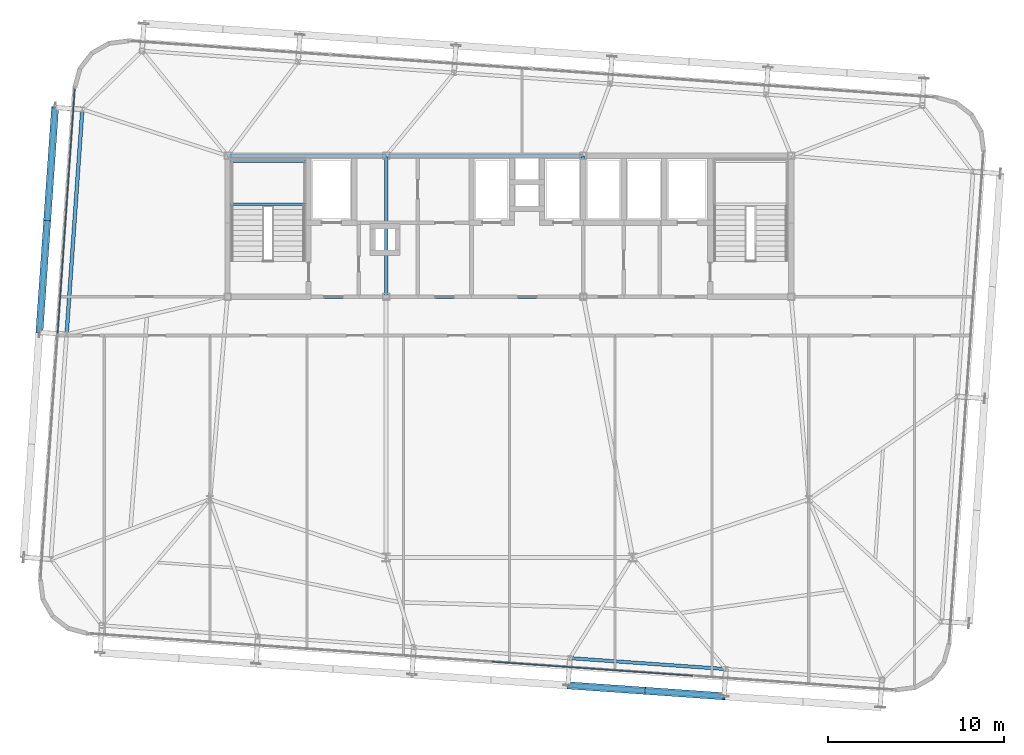
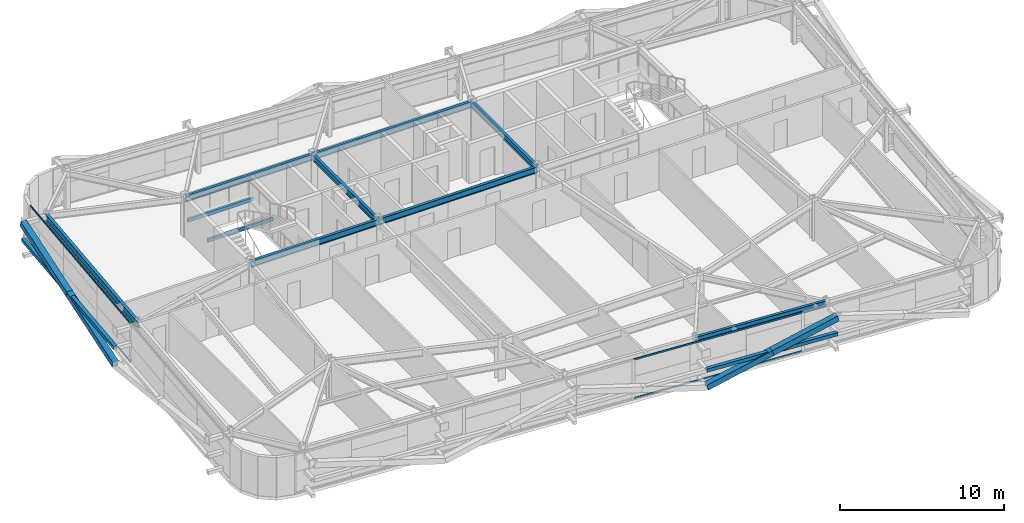
# One storey, part 12 of 39: 10 beams, 10 members, 2 elements without a shape of their own.
"""IFC4 building model written with IfcOpenShell, lengths in metres."""

from ifc_helpers import new_model, si_unit, direction, frame, origin, origin_2d, place, context, subcontext, project, spatial, hollow_rectangle, i_section, extrude, source, transform, mapped, material, layer, layer_set, material_profile, profile_set, type_object, element, aggregate, save


model = new_model("IFC4")

# Units and contexts
model_context = context("Model", 3, precision=1e-05, world=origin(), true_north=direction((0.0, 1.0)))
body_context = subcontext(model_context, "Body", "Model", "MODEL_VIEW")
ifc_project = project(units=[si_unit("LENGTHUNIT", "METRE"), si_unit("AREAUNIT", "SQUARE_METRE"), si_unit("VOLUMEUNIT", "CUBIC_METRE"), si_unit("PLANEANGLEUNIT", "RADIAN"), si_unit("MASSUNIT", "GRAM", prefix="KILO")], contexts=[model_context])

# Site, building, storey
site_placement = place(None, origin())
site = spatial("IfcSite", under=ifc_project, at=site_placement, CompositionType="ELEMENT")
building_placement = place(site_placement, origin())
building = spatial("IfcBuilding", under=site, at=building_placement, Name="Taldren Reach Tower", CompositionType="ELEMENT")
storey_placement = place(building_placement, frame((0.0, 0.0, 123.550048828125)))
storey = spatial("IfcBuildingStorey", under=building, at=storey_placement, Name="L37", CompositionType="ELEMENT", Elevation=123.550048828125)

# Beams
ifc_material_1 = material(Name="Steel Gr 350 (350PLUS)", Category="steel")
ifc_material_profile_1 = material_profile(ifc_material_1, i_section(OverallWidth=0.19091796875, OverallDepth=0.4599609375, WebThickness=0.010009765625, FlangeThickness=0.01611328125, at=origin_2d()), Name="460UB82.1")
ifc_profile_set_1 = profile_set([ifc_material_profile_1], Name="Steel Gr 350 (350PLUS)")
beam_type_1 = type_object("IfcBeamType", Name="BM-UB460A", PredefinedType="BEAM", material=ifc_profile_set_1)
shared_shape_1 = source(origin(), body_context, "Body", "SweptSolid", [
    extrude(i_section(OverallWidth=0.19091796875, OverallDepth=0.4599609375, WebThickness=0.010009765625, FlangeThickness=0.01611328125, at=origin_2d()), origin(), (0.0, 0.0, 1.0), 9.0),
])
for number, where, z_axis, x_axis, name in (
    (1, (19.0, 24.0, 2.699951171875), (1.0, 0.0, 0.0), (0.0, 1.0, 0.0), "Core-spine girder L37-SP01"),
    (2, (19.0, 32.0, 2.699951171875), (1.0, 0.0, 0.0), (0.0, 1.0, 0.0), "Core-spine girder L37-SP04"),
):
    element("IfcBeam", number, at=place(storey_placement, frame(where, z_axis=z_axis, x_axis=x_axis)), inside=storey, type_object=beam_type_1, Name=name, PredefinedType="BEAM", context=body_context, shape_type="MappedRepresentation", body=[
        mapped(shared_shape_1, transform((0.0, 0.0, 0.0), scale=1.0)),
    ])
shared_shape_2 = source(origin(), body_context, "Body", "SweptSolid", [
    extrude(i_section(OverallWidth=0.19091796875, OverallDepth=0.4599609375, WebThickness=0.010009765625, FlangeThickness=0.01611328125, at=origin_2d()), origin(), (0.0, 0.0, 1.0), 11.199951171875),
])
for number, where, z_axis, x_axis, name in (
    (3, (28.0, 24.0, 2.699951171875), (1.0, 0.0, 0.0), (0.0, 1.0, 0.0), "Core-spine girder L37-SP02"),
    (4, (28.0, 32.0, 2.699951171875), (1.0, 0.0, 0.0), (0.0, 1.0, 0.0), "Core-spine girder L37-SP05"),
):
    element("IfcBeam", number, at=place(storey_placement, frame(where, z_axis=z_axis, x_axis=x_axis)), inside=storey, type_object=beam_type_1, Name=name, PredefinedType="BEAM", context=body_context, shape_type="MappedRepresentation", body=[
        mapped(shared_shape_2, transform((0.0, 0.0, 0.0), scale=1.0)),
    ])
shared_shape_3 = source(origin(), body_context, "Body", "SweptSolid", [
    extrude(i_section(OverallWidth=0.19091796875, OverallDepth=0.4599609375, WebThickness=0.010009765625, FlangeThickness=0.01611328125, at=origin_2d()), origin(), (0.0, 0.0, 1.0), 8.0),
])
for number, where, z_axis, x_axis, name in (
    (5, (28.0, 24.0, 2.699951171875), (0.0, 1.0, 0.0), (-1.0, 0.0, 0.0), "Core-spine girder L37-SP07"),
    (6, (39.199951171875, 24.0, 2.699951171875), (0.0, 1.0, 0.0), (-1.0, 0.0, 0.0), "Core-spine girder L37-SP08"),
):
    element("IfcBeam", number, at=place(storey_placement, frame(where, z_axis=z_axis, x_axis=x_axis)), inside=storey, type_object=beam_type_1, Name=name, PredefinedType="BEAM", context=body_context, shape_type="MappedRepresentation", body=[
        mapped(shared_shape_3, transform((0.0, 0.0, 0.0), scale=1.0)),
    ])
ifc_material_profile_2 = material_profile(ifc_material_1, i_section(OverallWidth=0.18994140625, OverallDepth=0.4541015625, WebThickness=0.008544921875, FlangeThickness=0.0126953125, at=origin_2d()), Name="460UB67.1")
ifc_profile_set_2 = profile_set([ifc_material_profile_2], Name="Steel Gr 350 (350PLUS)")
beam_type_2 = type_object("IfcBeamType", Name="SP-UB460B", PredefinedType="SPANDREL", material=ifc_profile_set_2)
shared_shape_4 = source(origin(), body_context, "Body", "SweptSolid", [
    extrude(i_section(OverallWidth=0.18994140625, OverallDepth=0.4541015625, WebThickness=0.008544921875, FlangeThickness=0.0126953125, at=origin_2d()), origin(), (0.0, 0.0, 1.0), 8.880126953125),
])
beam_1_placement = place(storey_placement, frame((38.438720703125, 3.480224609375, 2.702880859375), z_axis=(0.997562566276, -0.06977769246, 0.0), x_axis=(0.06977769246, 0.997562566276, 0.0)))
element("IfcBeam", 7, at=beam_1_placement, inside=storey, type_object=beam_type_2, Name="Perimeter spandrel B3 S4-S5 L37", PredefinedType="SPANDREL", context=body_context, shape_type="MappedRepresentation", body=[
    mapped(shared_shape_4, transform((0.0, 0.0, 0.0), scale=1.0)),
])
ifc_material_profile_3 = material_profile(ifc_material_1, i_section(OverallWidth=0.208984375, OverallDepth=0.528076171875, WebThickness=0.009521484375, FlangeThickness=0.01318359375, at=origin_2d()), Name="530UB82.0")
ifc_profile_set_3 = profile_set([ifc_material_profile_3], Name="Steel Gr 350 (350PLUS)")
beam_type_3 = type_object("IfcBeamType", Name="SP-UB530B", PredefinedType="SPANDREL", material=ifc_profile_set_3)
shared_shape_5 = source(origin(), body_context, "Body", "SweptSolid", [
    extrude(i_section(OverallWidth=0.208984375, OverallDepth=0.528076171875, WebThickness=0.009521484375, FlangeThickness=0.01318359375, at=origin_2d()), origin(), (0.0, 0.0, 1.0), 12.800048828125),
])
beam_2_placement = place(storey_placement, frame((10.754638671875, 34.63720703125, 2.666015625), z_axis=(-0.069751876777, -0.9975643717, 0.0), x_axis=(0.9975643717, -0.069751876777, 0.0)))
element("IfcBeam", 8, at=beam_2_placement, inside=storey, type_object=beam_type_3, Name="Perimeter spandrel B3 W3-W2 L37", PredefinedType="SPANDREL", context=body_context, shape_type="MappedRepresentation", body=[
    mapped(shared_shape_5, transform((0.0, 0.0, 0.0), scale=1.0)),
])

# Members
ifc_material_2 = material(Name="Steel Gr 350 (C350L0)", Category="steel")
ifc_material_profile_4 = material_profile(ifc_material_2, hollow_rectangle(XDim=0.25, YDim=0.25, WallThickness=0.010009765625, at=origin_2d()), Name="250x250x10.0SHS")
ifc_profile_set_4 = profile_set([ifc_material_profile_4], Name="Steel Gr 350 (C350L0)")
member_type_1 = type_object("IfcMemberType", Name="MB-POST250", PredefinedType="POST", material=ifc_profile_set_4)
shared_shape_6 = source(origin(), body_context, "Body", "SweptSolid", [
    extrude(hollow_rectangle(XDim=0.25, YDim=0.25, WallThickness=0.010009765625, at=origin_2d()), origin(), (0.0, 0.0, 1.0), 8.880126953125),
])
member_1_placement = place(storey_placement, frame((38.33056640625, 1.933837890625, 1.43505859375), z_axis=(0.997564479639, -0.069750333063, 0.0), x_axis=(0.069750333063, 0.997564479639, 0.0)))
element("IfcMember", 9, at=member_1_placement, inside=storey, type_object=member_type_1, Name="Exoskeleton mid-height ring chord B3-S4 L37", PredefinedType="POST", context=body_context, shape_type="MappedRepresentation", body=[
    mapped(shared_shape_6, transform((0.0, 0.0, 0.0), scale=1.0)),
])
shared_shape_7 = source(origin(), body_context, "Body", "SweptSolid", [
    extrude(hollow_rectangle(XDim=0.25, YDim=0.25, WallThickness=0.010009765625, at=origin_2d()), origin(), (0.0, 0.0, 1.0), 12.800048828125),
])
member_2_placement = place(storey_placement, frame((8.3154296875, 21.9765625, 1.43505859375), z_axis=(0.069770857464, 0.997563044348, 0.0), x_axis=(-0.997563044348, 0.069770857464, 0.0)))
element("IfcMember", 10, at=member_2_placement, inside=storey, type_object=member_type_1, Name="Exoskeleton mid-height ring chord B3-W2 L37", PredefinedType="POST", context=body_context, shape_type="MappedRepresentation", body=[
    mapped(shared_shape_7, transform((0.0, 0.0, 0.0), scale=1.0)),
])
ifc_material_3 = material(Name="Steel Gr 450 (C450L0)", Category="steel")
ifc_material_profile_5 = material_profile(ifc_material_3, hollow_rectangle(XDim=0.409912109375, YDim=0.409912109375, WallThickness=0.01611328125, at=origin_2d()), Name="410x410x16.0SHS")
ifc_profile_set_5 = profile_set([ifc_material_profile_5], Name="Steel Gr 450 (C450L0)")
member_type_2 = type_object("IfcMemberType", Name="MB-EXO406", PredefinedType="BRACE", material=ifc_profile_set_5)
shared_shape_8 = source(origin(), body_context, "Body", "SweptSolid", [
    extrude(hollow_rectangle(XDim=0.409912109375, YDim=0.409912109375, WallThickness=0.01611328125, at=origin_2d()), origin(), (0.0, 0.0, 1.0), 4.603271484375),
])
for number, where, z_axis, x_axis, name in (
    (11, (38.33056640625, 1.933837890625, 0.219970703125), (0.962185784239, -0.067250114343, 0.263962002434), (0.069722973508, 0.997566392259, 0.0), "Exoskeleton Diagrid Brace B3-S4 L37"),
    (12, (42.759765625, 1.624267578125, 1.43505859375), (0.962195820062, -0.067303852699, 0.263911718699), (0.06977769246, 0.997562566276, 0.0), "Exoskeleton Diagrid Brace B3-S4 L37"),
):
    element("IfcMember", number, at=place(storey_placement, frame(where, z_axis=z_axis, x_axis=x_axis)), inside=storey, type_object=member_type_2, Name=name, PredefinedType="BRACE", context=body_context, shape_type="MappedRepresentation", body=[
        mapped(shared_shape_8, transform((0.0, 0.0, 0.0), scale=1.0)),
    ])
shared_shape_9 = source(origin(), body_context, "Body", "SweptSolid", [
    extrude(hollow_rectangle(XDim=0.409912109375, YDim=0.409912109375, WallThickness=0.01611328125, at=origin_2d()), origin(), (0.0, 0.0, 1.0), 6.514404296875),
])
member_3_placement = place(storey_placement, frame((8.761962890625, 28.36083984375, 1.43505859375), z_axis=(0.068545605936, 0.980063499638, 0.186486022492), x_axis=(-0.997563137195, 0.069769529958, 0.0)))
element("IfcMember", 13, at=member_3_placement, inside=storey, type_object=member_type_2, Name="Exoskeleton Diagrid Brace B3-W2 L37", PredefinedType="BRACE", context=body_context, shape_type="MappedRepresentation", body=[
    mapped(shared_shape_9, transform((0.0, 0.0, 0.0), scale=1.0)),
])
shared_shape_10 = source(origin(), body_context, "Body", "SweptSolid", [
    extrude(hollow_rectangle(XDim=0.409912109375, YDim=0.409912109375, WallThickness=0.01611328125, at=origin_2d()), origin(), (0.0, 0.0, 1.0), 6.51416015625),
])
member_4_placement = place(storey_placement, frame((8.3154296875, 21.9765625, 0.219970703125), z_axis=(0.068547644544, 0.980055169399, 0.186529046964), x_axis=(-0.997562951496, 0.069772185021, 0.0)))
element("IfcMember", 14, at=member_4_placement, inside=storey, type_object=member_type_2, Name="Exoskeleton Diagrid Brace B3-W2 L37", PredefinedType="BRACE", context=body_context, shape_type="MappedRepresentation", body=[
    mapped(shared_shape_10, transform((0.0, 0.0, 0.0), scale=1.0)),
])

# Curtain wall, members
ifc_material_4 = material(Name="Aluminium and Low-E Glass Unitised System", Category="aluminium")
ifc_layer = layer(ifc_material_4, 0.159912109375)
ifc_layer_set = layer_set([ifc_layer], Name="Aluminium and Low-E Glass Unitised System")
curtain_wall_type = type_object("IfcCurtainWallType", Name="CW-SYS-4", PredefinedType="NOTDEFINED", material=ifc_layer_set)
curtain_wall_1_placement = place(storey_placement, origin())
curtain_wall_1 = element("IfcCurtainWall", 15, at=curtain_wall_1_placement, inside=storey, type_object=curtain_wall_type, Name="Unitised curtain wall CW-L37-S", PredefinedType="NOTDEFINED")
ifc_material_5 = material(Name="Anodised Aluminium 6063-T6", Category="aluminium")
ifc_material_profile_6 = material_profile(ifc_material_5, hollow_rectangle(XDim=0.054931640625, YDim=0.1201171875, WallThickness=0.0029296875, at=origin_2d()), Name="ALU-120x55x3RHS")
ifc_profile_set_6 = profile_set([ifc_material_profile_6], Name="Anodised Aluminium 6063-T6")
member_type_3 = type_object("IfcMemberType", Name="CW-TRN-135", PredefinedType="USERDEFINED", material=ifc_profile_set_6)
shared_shape_11 = source(origin(), body_context, "Body", "SweptSolid", [
    extrude(hollow_rectangle(XDim=0.054931640625, YDim=0.1201171875, WallThickness=0.0029296875, at=origin_2d()), origin(), (0.0, 0.0, 1.0), 11.429931640625),
])
member_5_placement = place(storey_placement, frame((34.0087890625, 3.278564453125, 0.02734375), z_axis=(0.997563740938, -0.069760897114, 0.0), x_axis=(0.069760897114, 0.997563740938, 0.0)))
member_5 = element("IfcMember", 16, at=member_5_placement, type_object=member_type_3, Name="CW-4 transom 3.1", ObjectType="TRANSOM", PredefinedType="USERDEFINED", context=body_context, shape_type="MappedRepresentation", body=[
    mapped(shared_shape_11, transform((0.0, 0.0, 0.0), scale=1.0)),
])
member_6_placement = place(storey_placement, frame((34.0087890625, 3.278564453125, 2.90234375), z_axis=(0.997563740938, -0.069760897114, 0.0), x_axis=(0.069760897114, 0.997563740938, 0.0)))
member_6 = element("IfcMember", 17, at=member_6_placement, type_object=member_type_3, Name="CW-4 transom 3.2", ObjectType="TRANSOM", PredefinedType="USERDEFINED", context=body_context, shape_type="MappedRepresentation", body=[
    mapped(shared_shape_11, transform((0.0, 0.0, 0.0), scale=1.0)),
])
aggregate(curtain_wall_1, [member_5, member_6])

curtain_wall_2_placement = place(storey_placement, origin())
curtain_wall_2 = element("IfcCurtainWall", 18, at=curtain_wall_2_placement, inside=storey, type_object=curtain_wall_type, Name="Unitised curtain wall CW-L37-W", PredefinedType="NOTDEFINED")
shared_shape_12 = source(origin(), body_context, "Body", "SweptSolid", [
    extrude(hollow_rectangle(XDim=0.054931640625, YDim=0.1201171875, WallThickness=0.0029296875, at=origin_2d()), origin(), (0.0, 0.0, 1.0), 13.895263671875),
])
member_7_placement = place(storey_placement, frame((10.32470703125, 35.800048828125, 0.02734375), z_axis=(-0.069753594456, -0.997564251595, 0.0), x_axis=(0.997564251595, -0.069753594456, 0.0)))
member_7 = element("IfcMember", 19, at=member_7_placement, type_object=member_type_3, Name="CW-4 transom 1.1", ObjectType="TRANSOM", PredefinedType="USERDEFINED", context=body_context, shape_type="MappedRepresentation", body=[
    mapped(shared_shape_12, transform((0.0, 0.0, 0.0), scale=1.0)),
])
member_8_placement = place(storey_placement, frame((10.32470703125, 35.800048828125, 2.90234375), z_axis=(-0.069753594456, -0.997564251595, 0.0), x_axis=(0.997564251595, -0.069753594456, 0.0)))
member_8 = element("IfcMember", 20, at=member_8_placement, type_object=member_type_3, Name="CW-4 transom 1.2", ObjectType="TRANSOM", PredefinedType="USERDEFINED", context=body_context, shape_type="MappedRepresentation", body=[
    mapped(shared_shape_12, transform((0.0, 0.0, 0.0), scale=1.0)),
])
aggregate(curtain_wall_2, [member_7, member_8])

# Beams
ifc_material_profile_7 = material_profile(ifc_material_2, hollow_rectangle(XDim=0.14990234375, YDim=0.25, WallThickness=0.009033203125, at=origin_2d()), Name="250x150x9.0RHS")
ifc_profile_set_7 = profile_set([ifc_material_profile_7], Name="Steel Gr 350 (C350L0)")
beam_type_4 = type_object("IfcBeamType", Name="LN-RHS250", PredefinedType="LINTEL", material=ifc_profile_set_7)
shared_shape_13 = source(origin(), body_context, "Body", "SweptSolid", [
    extrude(hollow_rectangle(XDim=0.14990234375, YDim=0.25, WallThickness=0.009033203125, at=origin_2d()), origin(), (0.0, 0.0, 1.0), 4.60009765625),
])
for number, where, z_axis, x_axis, name in (
    (21, (19.0, 29.2548828125, 1.27001953125), (1.0, 0.0, 0.0), (0.0, 1.0, 0.0), "Stair half-landing support beam ST1-L37-1"),
    (22, (19.0, 31.699951171875, 1.27001953125), (1.0, 0.0, 0.0), (0.0, 1.0, 0.0), "Stair half-landing support beam ST1-L37-2"),
):
    element("IfcBeam", number, at=place(storey_placement, frame(where, z_axis=z_axis, x_axis=x_axis)), inside=storey, type_object=beam_type_4, Name=name, PredefinedType="LINTEL", context=body_context, shape_type="MappedRepresentation", body=[
        mapped(shared_shape_13, transform((0.0, 0.0, 0.0), scale=1.0)),
    ])

save(model, "model.ifc")
